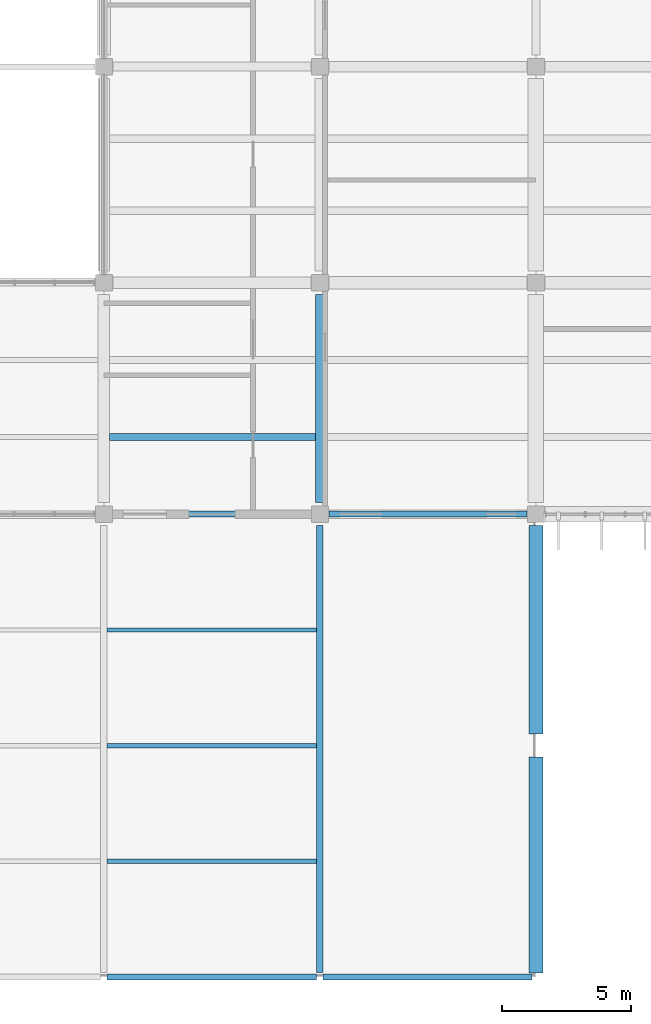
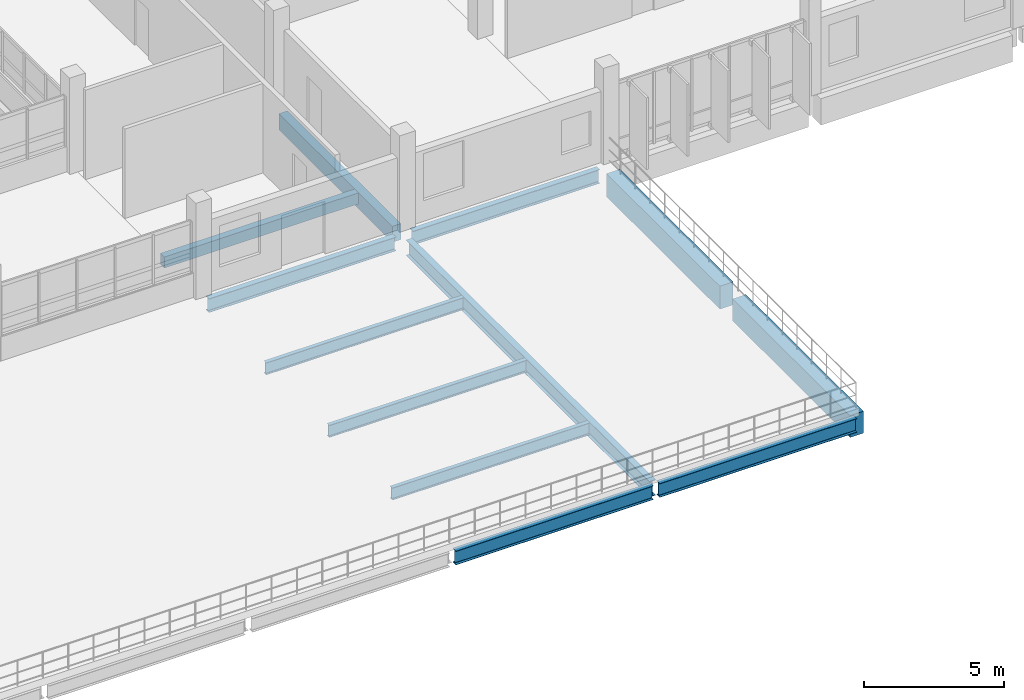
# One storey, part 21 of 101: 12 beams.
"""IFC4 building model written with IfcOpenShell, lengths in metres."""

from ifc_helpers import new_model, si_unit, direction, frame, origin, origin_2d, place, context, subcontext, project, spatial, rectangle, i_section, extrude, material, material_profile, profile_set, type_object, element, save


model = new_model("IFC4")

# Units and contexts
model_context = context("Model", 3, precision=1e-05, world=origin(), true_north=direction((0.0, 1.0)))
body_context = subcontext(model_context, "Body", "Model", "MODEL_VIEW")
ifc_project = project(units=[si_unit("LENGTHUNIT", "METRE"), si_unit("AREAUNIT", "SQUARE_METRE"), si_unit("VOLUMEUNIT", "CUBIC_METRE"), si_unit("PLANEANGLEUNIT", "RADIAN"), si_unit("MASSUNIT", "GRAM", prefix="KILO")], contexts=[model_context])

# Site, building, storey
site_placement = place(None, origin())
site = spatial("IfcSite", under=ifc_project, at=site_placement, CompositionType="ELEMENT")
building_placement = place(site_placement, origin())
building = spatial("IfcBuilding", under=site, at=building_placement, Name="Vireocrest Preparatory School", CompositionType="ELEMENT")
storey_placement = place(building_placement, frame((0.0, 0.0, 4.800048828125)))
storey = spatial("IfcBuildingStorey", under=building, at=storey_placement, Name="L01", CompositionType="ELEMENT", Elevation=4.800048828125)

# Beams
ifc_material_1 = material(Name="Structural steel ASTM A992 Grade 50", Category="steel")
ifc_material_profile_1 = material_profile(ifc_material_1, i_section(OverallWidth=0.2529296875, OverallDepth=0.677978515625, WebThickness=0.01171875, FlangeThickness=0.016357421875, FilletRadius=0.01806640625, at=origin_2d()), Name="W27X84")
ifc_profile_set_1 = profile_set([ifc_material_profile_1], Name="Structural steel ASTM A992 Grade 50")
beam_type_1 = type_object("IfcBeamType", Name="Concourse Long-Span Girder W27X84", PredefinedType="BEAM", material=ifc_profile_set_1)
beam_1_placement = place(storey_placement, frame((100.800048828125, 0.179931640625, -0.658935546875), z_axis=(0.0, 1.0, 0.0), x_axis=(-1.0, 0.0, 0.0)))
element("IfcBeam", 1, at=beam_1_placement, inside=storey, type_object=beam_type_1, Name="Primary Girder SB2 L01-0448", PredefinedType="BEAM", context=body_context, shape_type="SweptSolid", body=[
    extrude(i_section(OverallWidth=0.2529296875, OverallDepth=0.677978515625, WebThickness=0.01171875, FlangeThickness=0.016357421875, FilletRadius=0.01806640625, at=origin_2d()), origin(), (0.0, 0.0, 1.0), 17.3701171875),
])
ifc_material_profile_2 = material_profile(ifc_material_1, i_section(OverallWidth=0.22802734375, OverallDepth=0.60302734375, WebThickness=0.010498046875, FlangeThickness=0.014892578125, FilletRadius=0.01611328125, at=origin_2d()), Name="W24X68")
ifc_profile_set_2 = profile_set([ifc_material_profile_2], Name="Structural steel ASTM A992 Grade 50")
beam_type_2 = type_object("IfcBeamType", Name="Dining Pavilion Roof Girder W24X68", PredefinedType="BEAM", material=ifc_profile_set_2)
beam_2_placement = place(storey_placement, frame((92.528076171875, 0.0, -0.62158203125), z_axis=(1.0, 0.0, 0.0), x_axis=(0.0, 1.0, 0.0)))
element("IfcBeam", 2, at=beam_2_placement, inside=storey, type_object=beam_type_2, Name="Primary Girder SB4 L01-0257", PredefinedType="BEAM", context=body_context, shape_type="SweptSolid", body=[
    extrude(i_section(OverallWidth=0.22802734375, OverallDepth=0.60302734375, WebThickness=0.010498046875, FlangeThickness=0.014892578125, FilletRadius=0.01611328125, at=origin_2d()), origin(), (0.0, 0.0, 1.0), 8.14404296875),
])
beam_3_placement = place(storey_placement, frame((100.927978515625, 0.0, -0.62158203125), z_axis=(1.0, 0.0, 0.0), x_axis=(0.0, 1.0, 0.0)))
element("IfcBeam", 3, at=beam_3_placement, inside=storey, type_object=beam_type_2, Name="Primary Girder SB4 L01-0258", PredefinedType="BEAM", context=body_context, shape_type="SweptSolid", body=[
    extrude(i_section(OverallWidth=0.22802734375, OverallDepth=0.60302734375, WebThickness=0.010498046875, FlangeThickness=0.014892578125, FilletRadius=0.01611328125, at=origin_2d()), origin(), (0.0, 0.0, 1.0), 8.11962890625),
])
beam_4_placement = place(storey_placement, frame((92.75, 18.0, -0.62158203125), z_axis=(1.0, 0.0, 0.0), x_axis=(0.0, 1.0, 0.0)))
element("IfcBeam", 4, at=beam_4_placement, inside=storey, type_object=beam_type_2, Name="Primary Girder SB4 L01-0267", PredefinedType="BEAM", context=body_context, shape_type="SweptSolid", body=[
    extrude(i_section(OverallWidth=0.22802734375, OverallDepth=0.60302734375, WebThickness=0.010498046875, FlangeThickness=0.014892578125, FilletRadius=0.01611328125, at=origin_2d()), origin(), (0.0, 0.0, 1.0), 7.699951171875),
])
beam_5_placement = place(storey_placement, frame((101.14990234375, 18.0, -0.62158203125), z_axis=(1.0, 0.0, 0.0), x_axis=(0.0, 1.0, 0.0)))
element("IfcBeam", 5, at=beam_5_placement, inside=storey, type_object=beam_type_2, Name="Primary Girder SB4 L01-0268", PredefinedType="BEAM", context=body_context, shape_type="SweptSolid", body=[
    extrude(i_section(OverallWidth=0.22802734375, OverallDepth=0.60302734375, WebThickness=0.010498046875, FlangeThickness=0.014892578125, FilletRadius=0.01611328125, at=origin_2d()), origin(), (0.0, 0.0, 1.0), 7.7001953125),
])
ifc_material_profile_3 = material_profile(ifc_material_1, i_section(OverallWidth=0.166015625, OverallDepth=0.529052734375, WebThickness=0.009765625, FlangeThickness=0.013671875, FilletRadius=0.014892578125, at=origin_2d()), Name="W21X50")
ifc_profile_set_3 = profile_set([ifc_material_profile_3], Name="Structural steel ASTM A992 Grade 50")
beam_type_3 = type_object("IfcBeamType", Name="Pavilion Roof Joist W21X50", PredefinedType="JOIST", material=ifc_profile_set_3)
for number, where, z_axis, x_axis, name in (
    (6, (92.526611328125, 4.5, -0.58447265625), (1.0, 0.0, 0.0), (0.0, 1.0, 0.0), "Play Deck Joist SJ1-0675"),
    (7, (92.526611328125, 9.0, -0.58447265625), (1.0, 0.0, 0.0), (0.0, 1.0, 0.0), "Play Deck Joist SJ1-0676"),
    (8, (92.526611328125, 13.5, -0.58447265625), (1.0, 0.0, 0.0), (0.0, 1.0, 0.0), "Play Deck Joist SJ1-0677"),
):
    element("IfcBeam", number, at=place(storey_placement, frame(where, z_axis=z_axis, x_axis=x_axis)), inside=storey, type_object=beam_type_3, Name=name, PredefinedType="JOIST", context=body_context, shape_type="SweptSolid", body=[
        extrude(i_section(OverallWidth=0.166015625, OverallDepth=0.529052734375, WebThickness=0.009765625, FlangeThickness=0.013671875, FilletRadius=0.014892578125, at=origin_2d()), origin(), (0.0, 0.0, 1.0), 8.14697265625),
    ])
ifc_material_2 = material(Name="Concrete 40 MPa", Category="concrete")
ifc_material_profile_4 = material_profile(ifc_material_2, rectangle(XDim=0.550048828125, YDim=1.0, at=origin_2d()), Name="RC 550x1000")
ifc_profile_set_4 = profile_set([ifc_material_profile_4], Name="Concrete 40 MPa")
beam_type_4 = type_object("IfcBeamType", Name="RC Core Coupling Beam 550x1000", PredefinedType="BEAM", material=ifc_profile_set_4)
beam_6_placement = place(storey_placement, frame((109.199951171875, 9.449951171875, -0.820068359375), z_axis=(0.0, 1.0, 0.0), x_axis=(-1.0, 0.0, 0.0)))
element("IfcBeam", 9, at=beam_6_placement, inside=storey, type_object=beam_type_4, Name="Primary Girder B18 L01-0461", PredefinedType="BEAM", context=body_context, shape_type="SweptSolid", body=[
    extrude(rectangle(XDim=0.550048828125, YDim=1.0, at=origin_2d()), origin(), (0.0, 0.0, 1.0), 8.10009765625),
])
ifc_material_profile_5 = material_profile(ifc_material_2, rectangle(XDim=0.35009765625, YDim=0.699951171875, at=origin_2d()), Name="RC 350x700")
ifc_profile_set_5 = profile_set([ifc_material_profile_5], Name="Concrete 40 MPa")
beam_type_5 = type_object("IfcBeamType", Name="RC Laboratory Girder 350x700", PredefinedType="BEAM", material=ifc_profile_set_5)
beam_7_placement = place(storey_placement, frame((100.800048828125, 18.449951171875, -0.610107421875), z_axis=(0.0, 1.0, 0.0), x_axis=(-1.0, 0.0, 0.0)))
element("IfcBeam", 10, at=beam_7_placement, inside=storey, type_object=beam_type_5, Name="Primary Girder B06 L01-0449", PredefinedType="BEAM", context=body_context, shape_type="SweptSolid", body=[
    extrude(rectangle(XDim=0.35009765625, YDim=0.699951171875, at=origin_2d()), origin(), (0.0, 0.0, 1.0), 8.10009765625),
])
ifc_material_profile_6 = material_profile(ifc_material_2, rectangle(XDim=0.280029296875, YDim=0.47998046875, at=origin_2d()), Name="RC 280x480")
ifc_profile_set_6 = profile_set([ifc_material_profile_6], Name="Concrete 40 MPa")
beam_type_6 = type_object("IfcBeamType", Name="RC Secondary Lab Joist 280x480", PredefinedType="JOIST", material=ifc_profile_set_6)
beam_8_placement = place(storey_placement, frame((92.625, 21.0, -0.5), z_axis=(1.0, 0.0, 0.0), x_axis=(0.0, 1.0, 0.0)))
element("IfcBeam", 11, at=beam_8_placement, inside=storey, type_object=beam_type_6, Name="Secondary Joist J02 L01-0587", PredefinedType="JOIST", context=body_context, shape_type="SweptSolid", body=[
    extrude(rectangle(XDim=0.280029296875, YDim=0.47998046875, at=origin_2d()), origin(), (0.0, 0.0, 1.0), 8.0),
])
ifc_material_profile_7 = material_profile(ifc_material_2, rectangle(XDim=0.550048828125, YDim=0.949951171875, at=origin_2d()), Name="RC 550x950")
ifc_profile_set_7 = profile_set([ifc_material_profile_7], Name="Concrete 40 MPa")
beam_type_7 = type_object("IfcBeamType", Name="RC Setback Edge Girder 550x950", PredefinedType="BEAM", material=ifc_profile_set_7)
beam_9_placement = place(storey_placement, frame((109.199951171875, 0.154052734375, -0.795166015625), z_axis=(0.0, 1.0, 0.0), x_axis=(-1.0, 0.0, 0.0)))
element("IfcBeam", 12, at=beam_9_placement, inside=storey, type_object=beam_type_7, Name="Primary Girder B17 L01-0460", PredefinedType="BEAM", context=body_context, shape_type="SweptSolid", body=[
    extrude(rectangle(XDim=0.550048828125, YDim=0.949951171875, at=origin_2d()), origin(), (0.0, 0.0, 1.0), 8.39599609375),
])

save(model, "model.ifc")
